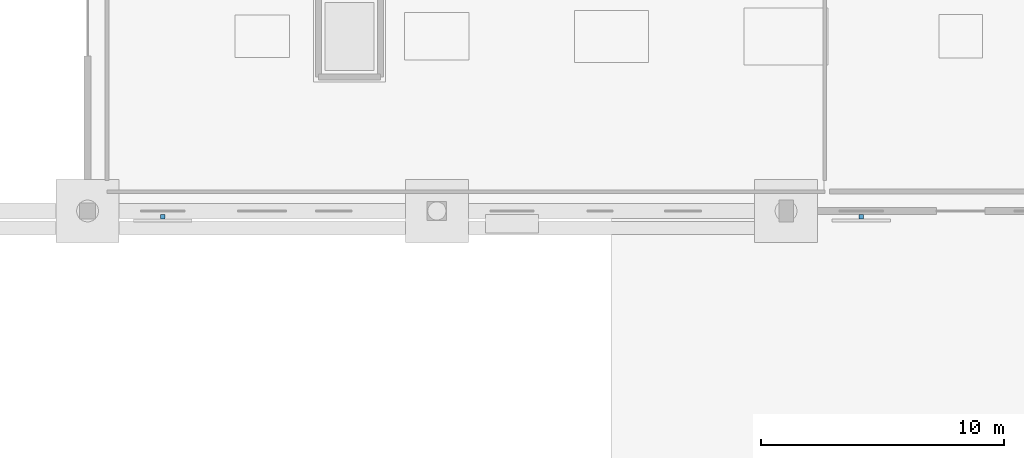
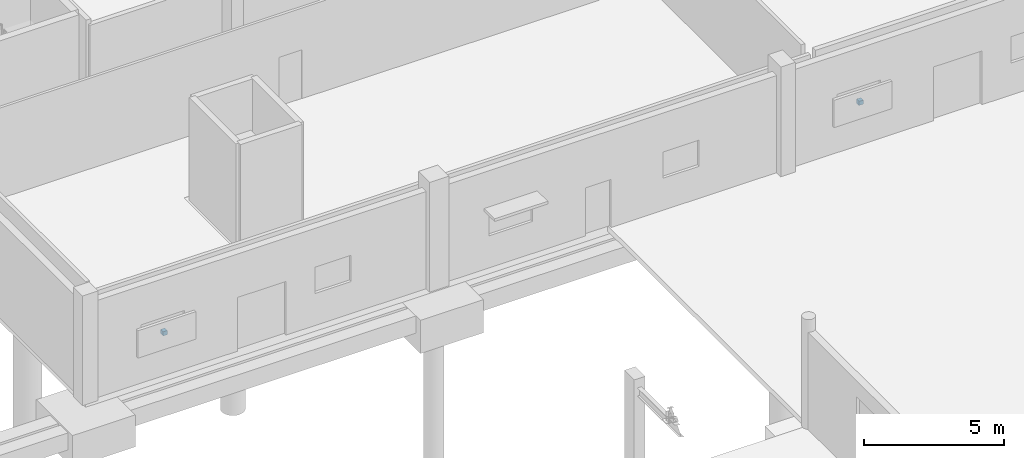
# One storey, part 268 of 285: 2 discrete accessories.
"""IFC4 building model written with IfcOpenShell, lengths in metres."""

import ifcopenshell
import ifcopenshell.guid

model = None  # the IFC model being written
_history = None  # IfcOwnerHistory: only IFC2X3 demands one
_inside = {}  # id of a spatial element -> (the spatial element, [elements in it])
_under = {}  # id of a project, library or spatial element -> (it, [spatial elements below it])
_declared = {}  # id of a project -> (the project, [libraries it declares])
_typed = {}  # id of a type object -> (the type object, [elements of that type])
_made_of = {}  # id of a material, layer set ... -> (it, [elements and type objects made of it])


def new_model(schema):
    """Start an empty IFC model of exactly this schema.

    Asked for "IFC4X3", IfcOpenShell would pick the latest addendum, in which some entities
    have other attributes; the version numbers below select the first issue.
    IFC2X3 requires an IfcOwnerHistory on every rooted entity: one is made here for all.
    """
    global model, _history
    if schema == "IFC4X3":
        model = ifcopenshell.file(schema_version=(4, 3, 0, 0))
    else:
        model = ifcopenshell.file(schema=schema)
    _inside.clear()
    _under.clear()
    _declared.clear()
    _typed.clear()
    _made_of.clear()
    _history = None
    if model.schema == "IFC2X3":
        org = make("IfcOrganization", Name="unknown")
        user = make(
            "IfcPersonAndOrganization",
            ThePerson=make("IfcPerson", FamilyName="unknown"),
            TheOrganization=org,
        )
        app = make(
            "IfcApplication",
            ApplicationDeveloper=org,
            Version="unknown",
            ApplicationFullName="unknown",
            ApplicationIdentifier="unknown",
        )
        _history = make(
            "IfcOwnerHistory",
            OwningUser=user,
            OwningApplication=app,
            ChangeAction="ADDED",
            CreationDate=0,
        )
    return model


def make(cls, **values):
    """One entity of the class cls with the attributes given. An attribute that is None is left unset."""
    return model.create_entity(
        cls, **{name: value for name, value in values.items() if value is not None}
    )


def rooted(cls, **values):
    """An entity with a GlobalId (a new one), such as an element, a storey or a relation."""
    return make(cls, GlobalId=ifcopenshell.guid.new(), OwnerHistory=_history, **values)


def si_unit(unit_type, name, prefix=None):
    """IfcSIUnit, for example si_unit("LENGTHUNIT", "METRE", prefix="MILLI")."""
    return make("IfcSIUnit", UnitType=unit_type, Prefix=prefix, Name=name)


def assignment(units):
    """IfcUnitAssignment: the units of a project."""
    return None if units is None else make("IfcUnitAssignment", Units=units)


def point(xyz):
    """IfcCartesianPoint."""
    return None if xyz is None else make("IfcCartesianPoint", Coordinates=xyz)


def direction(xyz):
    """IfcDirection."""
    return None if xyz is None else make("IfcDirection", DirectionRatios=xyz)


def frame(location, z_axis=None, x_axis=None):
    """IfcAxis2Placement3D, a coordinate frame: its origin and axes. An axis left out is left unset."""
    return make(
        "IfcAxis2Placement3D",
        Location=point(location),
        Axis=direction(z_axis),
        RefDirection=direction(x_axis),
    )


def frame_2d(location, x_axis=None):
    """IfcAxis2Placement2D, a coordinate frame in the plane: its origin and x axis."""
    return make(
        "IfcAxis2Placement2D", Location=point(location), RefDirection=direction(x_axis)
    )


def origin():
    """The frame at (0, 0, 0) with its axes left unset."""
    return frame((0.0, 0.0, 0.0))


def origin_2d():
    """The frame at (0, 0) in the plane with its x axis left unset."""
    return frame_2d((0.0, 0.0))


def place(relative_to, where):
    """IfcLocalPlacement: puts the frame where relative to a parent placement (None: the world)."""
    return make(
        "IfcLocalPlacement", PlacementRelTo=relative_to, RelativePlacement=where
    )


def context(
    kind, dimensions, precision=None, world=None, true_north=None, identifier=None
):
    """IfcGeometricRepresentationContext, for example the 3D "Model" context."""
    return make(
        "IfcGeometricRepresentationContext",
        ContextIdentifier=identifier,
        ContextType=kind,
        CoordinateSpaceDimension=dimensions,
        Precision=precision,
        WorldCoordinateSystem=world,
        TrueNorth=true_north,
    )


def subcontext(parent, identifier, kind, view, scale=None):
    """IfcGeometricRepresentationSubContext, for example "Body" below "Model"."""
    return make(
        "IfcGeometricRepresentationSubContext",
        ContextIdentifier=identifier,
        ContextType=kind,
        ParentContext=parent,
        TargetScale=scale,
        TargetView=view,
    )


def project(units=None, contexts=None):
    """IfcProject with its units and contexts."""
    return rooted(
        "IfcProject",
        Name="project",
        RepresentationContexts=contexts,
        UnitsInContext=assignment(units),
    )


def spatial(cls, under=None, at=None, **own):
    """A site, building, storey or space (cls), placed at a placement, below another one or the project."""
    s = rooted(cls, ObjectPlacement=at, **own)
    if under is not None:
        _under.setdefault(under.id(), (under, []))[1].append(s)
    return s


def profile(cls, at=None, kind="AREA", **sizes):
    """A parametric profile (cls). Its sizes go by their IFC names, for example OverallWidth=200.0."""
    return make(cls, ProfileType=kind, Position=at, **sizes)


def rectangle(**sizes):
    """IfcRectangleProfileDef."""
    return profile("IfcRectangleProfileDef", **sizes)


def extrude(swept, where, along, depth):
    """IfcExtrudedAreaSolid: the profile swept, set in the frame where, extruded along a direction by depth."""
    return make(
        "IfcExtrudedAreaSolid",
        SweptArea=swept,
        Position=where,
        ExtrudedDirection=direction(along),
        Depth=depth,
    )


def shape(context_of_items, identifier, shape_type, items):
    """IfcShapeRepresentation: the items that make up one representation, for example the "Body"."""
    return make(
        "IfcShapeRepresentation",
        ContextOfItems=context_of_items,
        RepresentationIdentifier=identifier,
        RepresentationType=shape_type,
        Items=items,
    )


def material(Name=None, Category=None):
    """IfcMaterial."""
    return make("IfcMaterial", Name=Name, Category=Category)


def made_of(thing, what):
    """Note that an element or type object is made of a material, layer set ...; save() writes the relation."""
    if what is not None:
        _made_of.setdefault(what.id(), (what, []))[1].append(thing)
    return thing


def type_object(cls, material=None, **own):
    """A type object (cls), such as IfcWallType, which elements share."""
    return made_of(rooted(cls, **own), material)


def element(
    cls,
    number,
    at=None,
    inside=None,
    cuts=None,
    type_object=None,
    material=None,
    context=None,
    identifier="Body",
    shape_type=None,
    held_by="IfcProductDefinitionShape",
    body=None,
    shapes=None,
    **own,
):
    """One element of the class cls, such as IfcWall. Its Tag is "e" and its number.

    at: its placement. inside: the storey or other place that contains it. cuts: it is an
    opening in that element (IfcRelVoidsElement). A single representation is given by context,
    identifier, shape_type and body (its items); several are given by shapes. held_by: the class
    of the entity that holds the representations. save() writes the other relations.
    """
    e = rooted(cls, Tag="e%d" % number, ObjectPlacement=at, **own)
    if body is not None:
        shapes = [shape(context, identifier, shape_type, body)]
    if shapes is not None:
        e.Representation = make(held_by, Representations=shapes)
    if inside is not None:
        _inside.setdefault(inside.id(), (inside, []))[1].append(e)
    if cuts is not None:
        rooted(
            "IfcRelVoidsElement", RelatingBuildingElement=cuts, RelatedOpeningElement=e
        )
    if type_object is not None:
        _typed.setdefault(type_object.id(), (type_object, []))[1].append(e)
    return made_of(e, material)


def aggregate(whole, parts):
    """IfcRelAggregates: a whole, such as a stair, and the parts it consists of."""
    return rooted("IfcRelAggregates", RelatingObject=whole, RelatedObjects=parts)


def save(model, path):
    """Write the relations noted so far, then the file.

    IfcRelAggregates (storeys below a building ...), IfcRelContainedInSpatialStructure (elements
    in a storey), IfcRelDefinesByType, IfcRelAssociatesMaterial and IfcRelDeclares: one each for
    every whole, place, type object, material and project.
    """
    for whole, parts in _under.values():
        aggregate(whole, parts)
    for where, things in _inside.values():
        rooted(
            "IfcRelContainedInSpatialStructure",
            RelatedElements=things,
            RelatingStructure=where,
        )
    for kind, things in _typed.values():
        rooted("IfcRelDefinesByType", RelatedObjects=things, RelatingType=kind)
    for what, things in _made_of.values():
        rooted("IfcRelAssociatesMaterial", RelatedObjects=things, RelatingMaterial=what)
    for by, libraries in _declared.values():
        rooted("IfcRelDeclares", RelatingContext=by, RelatedDefinitions=libraries)
    model.write(path)


model = new_model("IFC4")

# Units and contexts
model_context = context("Model", 3, precision=1e-05, world=origin(), true_north=direction((0.0, 1.0)))
body_context = subcontext(model_context, "Body", "Model", "MODEL_VIEW")
ifc_project = project(units=[si_unit("LENGTHUNIT", "METRE"), si_unit("AREAUNIT", "SQUARE_METRE"), si_unit("VOLUMEUNIT", "CUBIC_METRE"), si_unit("PLANEANGLEUNIT", "RADIAN"), si_unit("MASSUNIT", "GRAM", prefix="KILO")], contexts=[model_context])

# Site, building, storey
site_placement = place(None, origin())
site = spatial("IfcSite", under=ifc_project, at=site_placement, CompositionType="ELEMENT")
building_placement = place(site_placement, origin())
building = spatial("IfcBuilding", under=site, at=building_placement, Name="Solanera Park Tramway Depot", CompositionType="ELEMENT")
storey_placement = place(building_placement, origin())
storey = spatial("IfcBuildingStorey", under=building, at=storey_placement, Name="L00", CompositionType="ELEMENT", Elevation=0.0)

# Discrete accessories
ifc_material = material(Name="Steel AS/NZS 3679.1 Grade 350", Category="steel")
discrete_accessory_type = type_object("IfcDiscreteAccessoryType", Name="Facade Sunshade Fixing Bracket 180x180", PredefinedType="BRACKET", material=ifc_material)
for number, where, z_axis, x_axis, name in (
    (1, (168.699951171875, 114.9599609375, 1.88525390625), (0.0, 0.0, 1.0), (1.0, 0.0, 0.0), "Jalousie Bracket #010"),
    (2, (197.5, 114.9599609375, 1.88525390625), (0.0, 0.0, 1.0), (1.0, 0.0, 0.0), "Jalousie Bracket #012"),
):
    element("IfcDiscreteAccessory", number, at=place(storey_placement, frame(where, z_axis=z_axis, x_axis=x_axis)), inside=storey, type_object=discrete_accessory_type, Name=name, PredefinedType="BRACKET", context=body_context, shape_type="SweptSolid", body=[
        extrude(rectangle(XDim=0.179931640625, YDim=0.179931640625, at=origin_2d()), origin(), (0.0, 0.0, 1.0), 0.179931640625),
    ])

save(model, "model.ifc")
